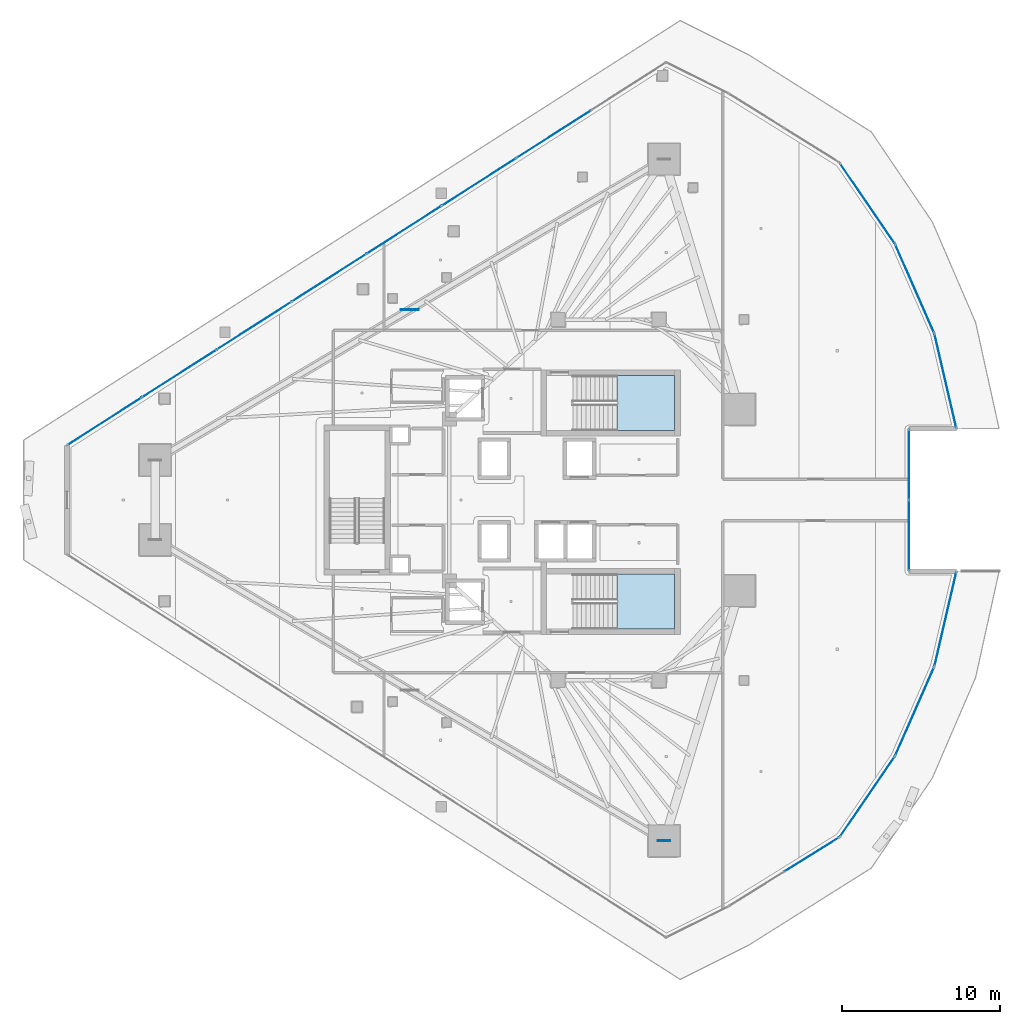
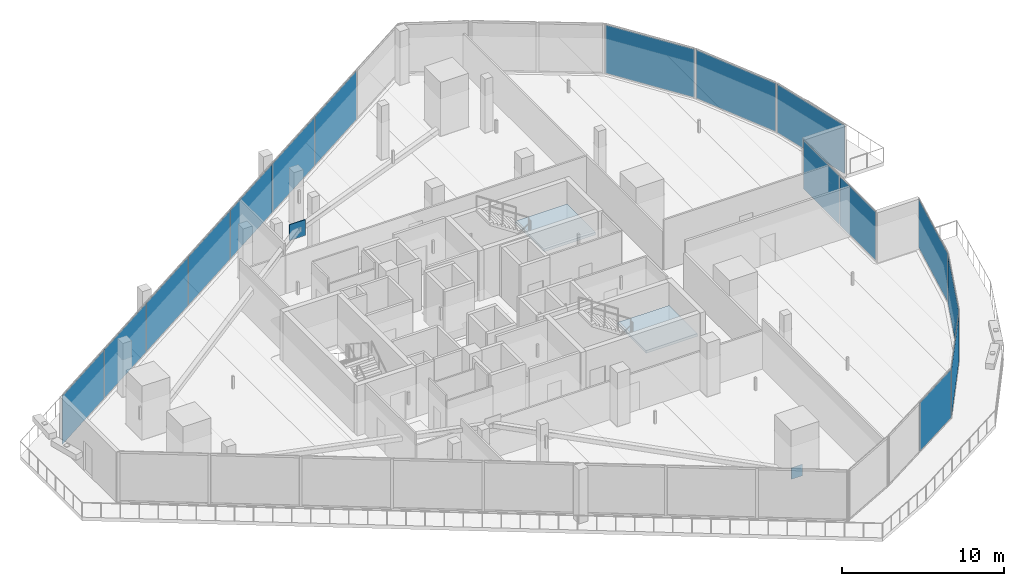
# One storey, part 26 of 39: 18 plates, 2 slabs, 11 elements without a shape of their own.
"""IFC4 building model written with IfcOpenShell, lengths in metres."""

from ifc_helpers import new_model, si_unit, direction, frame, origin, origin_2d, place, context, subcontext, project, spatial, polyline, rectangle, outline, extrude, material, layer, layer_set, type_object, element, aggregate, save


model = new_model("IFC4")

# Units and contexts
model_context = context("Model", 3, precision=1e-05, world=origin(), true_north=direction((0.0, 1.0)))
body_context = subcontext(model_context, "Body", "Model", "MODEL_VIEW")
ifc_project = project(units=[si_unit("LENGTHUNIT", "METRE"), si_unit("AREAUNIT", "SQUARE_METRE"), si_unit("VOLUMEUNIT", "CUBIC_METRE"), si_unit("PLANEANGLEUNIT", "RADIAN"), si_unit("MASSUNIT", "GRAM", prefix="KILO")], contexts=[model_context])

# Site, building, storey
site_placement = place(None, origin())
site = spatial("IfcSite", under=ifc_project, at=site_placement, CompositionType="ELEMENT")
building_placement = place(site_placement, origin())
building = spatial("IfcBuilding", under=site, at=building_placement, Name="Qorvath Tower", CompositionType="ELEMENT")
storey_placement = place(building_placement, frame((0.0, 0.0, 201.0)))
storey = spatial("IfcBuildingStorey", under=building, at=storey_placement, Name="L46", CompositionType="ELEMENT", Elevation=201.0)

# Curtain wall, plate
ifc_material_1 = material(Name="Anodised aluminium and triple low-E glass", Category="aluminium")
ifc_layer_1 = layer(ifc_material_1, 0.179931640625)
ifc_layer_set_1 = layer_set([ifc_layer_1], Name="CW-SYS-3")
curtain_wall_type = type_object("IfcCurtainWallType", Name="CW-SYS-3", PredefinedType="NOTDEFINED", material=ifc_layer_set_1)
curtain_wall_1_placement = place(storey_placement, origin())
curtain_wall_1 = element("IfcCurtainWall", 1, at=curtain_wall_1_placement, inside=storey, type_object=curtain_wall_type, Name="Curtain Wall CW-3 CW-T-L46-4.1", PredefinedType="NOTDEFINED")
ifc_material_2 = material(Name="Low-E triple insulated glass", Category="glass")
ifc_layer_2 = layer(ifc_material_2, 0.031982421875)
ifc_layer_set_2 = layer_set([ifc_layer_2], Name="CWP-GLZ-32")
plate_type_1 = type_object("IfcPlateType", Name="CWP-GLZ-32", PredefinedType="CURTAIN_PANEL", material=ifc_layer_set_2)
plate_1_placement = place(storey_placement, frame((-7.506103515625, -22.500732421875, 0.06494140625), z_axis=(0.0, 0.0, 1.0), x_axis=(0.848493264618, 0.529206179006, 0.0)))
plate_1 = element("IfcPlate", 2, at=plate_1_placement, type_object=plate_type_1, Name="CW-3 panel 2.1", PredefinedType="CURTAIN_PANEL", context=body_context, shape_type="SweptSolid", body=[
    extrude(rectangle(XDim=4.0537109375, YDim=0.031982421875, at=origin_2d()), origin(), (0.0, 0.0, 1.0), 3.64990234375),
])
aggregate(curtain_wall_1, [plate_1])

curtain_wall_2_placement = place(storey_placement, origin())
curtain_wall_2 = element("IfcCurtainWall", 3, at=curtain_wall_2_placement, inside=storey, type_object=curtain_wall_type, Name="Curtain Wall CW-3 CW-T-L46-5.1", PredefinedType="NOTDEFINED")
plate_2_placement = place(storey_placement, frame((-3.97705078125, -18.828857421875, 0.06494140625), z_axis=(0.0, 0.0, 1.0), x_axis=(0.56451201528, 0.825424850974, 0.0)))
plate_2 = element("IfcPlate", 4, at=plate_2_placement, type_object=plate_type_1, Name="CW-3 panel 1.1", PredefinedType="CURTAIN_PANEL", context=body_context, shape_type="SweptSolid", body=[
    extrude(rectangle(XDim=6.085205078125, YDim=0.031982421875, at=origin_2d()), origin(), (0.0, 0.0, 1.0), 3.64990234375),
])
aggregate(curtain_wall_2, [plate_2])

curtain_wall_3_placement = place(storey_placement, origin())
curtain_wall_3 = element("IfcCurtainWall", 5, at=curtain_wall_3_placement, inside=storey, type_object=curtain_wall_type, Name="Curtain Wall CW-3 CW-T-L46-6.1", PredefinedType="NOTDEFINED")
plate_3_placement = place(storey_placement, frame((-0.972412109375, -13.418701171875, 0.06494140625), z_axis=(0.0, 0.0, 1.0), x_axis=(0.402320695364, 0.915498802884, 0.0)))
plate_3 = element("IfcPlate", 6, at=plate_3_placement, type_object=plate_type_1, Name="CW-3 panel 1.1", PredefinedType="CURTAIN_PANEL", context=body_context, shape_type="SweptSolid", body=[
    extrude(rectangle(XDim=6.085205078125, YDim=0.031982421875, at=origin_2d()), origin(), (0.0, 0.0, 1.0), 3.64990234375),
])
aggregate(curtain_wall_3, [plate_3])

curtain_wall_4_placement = place(storey_placement, origin())
curtain_wall_4 = element("IfcCurtainWall", 7, at=curtain_wall_4_placement, inside=storey, type_object=curtain_wall_type, Name="Curtain Wall CW-3 CW-T-L46-7.1", PredefinedType="NOTDEFINED")
plate_4_placement = place(storey_placement, frame((0.98095703125, -7.546630859375, 0.06494140625), z_axis=(0.0, 0.0, 1.0), x_axis=(0.226271743469, 0.974064216624, 0.0)))
plate_4 = element("IfcPlate", 8, at=plate_4_placement, type_object=plate_type_1, Name="CW-3 panel 1.1", PredefinedType="CURTAIN_PANEL", context=body_context, shape_type="SweptSolid", body=[
    extrude(rectangle(XDim=6.085205078125, YDim=0.031982421875, at=origin_2d()), origin(), (0.0, 0.0, 1.0), 3.64990234375),
])
aggregate(curtain_wall_4, [plate_4])

# Curtain wall, plates
curtain_wall_5_placement = place(storey_placement, origin())
curtain_wall_5 = element("IfcCurtainWall", 9, at=curtain_wall_5_placement, inside=storey, type_object=curtain_wall_type, Name="Curtain Wall CW-3 CW-T-L46-9.1", PredefinedType="NOTDEFINED")
plate_5_placement = place(storey_placement, frame((-1.3291015625, -2.24365234375, 0.06494140625), z_axis=(0.0, 0.0, 1.0), x_axis=(0.0, 1.0, 0.0)))
plate_5 = element("IfcPlate", 10, at=plate_5_placement, type_object=plate_type_1, Name="CW-3 panel 1.1", PredefinedType="CURTAIN_PANEL", context=body_context, shape_type="SweptSolid", body=[
    extrude(rectangle(XDim=4.42236328125, YDim=0.031982421875, at=origin_2d()), origin(), (0.0, 0.0, 1.0), 3.64990234375),
])
plate_6_placement = place(storey_placement, frame((-1.3291015625, 2.24365234375, 0.06494140625), z_axis=(0.0, 0.0, 1.0), x_axis=(0.0, 1.0, 0.0)))
plate_6 = element("IfcPlate", 11, at=plate_6_placement, type_object=plate_type_1, Name="CW-3 panel 2.1", PredefinedType="CURTAIN_PANEL", context=body_context, shape_type="SweptSolid", body=[
    extrude(rectangle(XDim=4.42236328125, YDim=0.031982421875, at=origin_2d()), origin(), (0.0, 0.0, 1.0), 3.64990234375),
])
aggregate(curtain_wall_5, [plate_5, plate_6])

# Curtain wall, plate
curtain_wall_6_placement = place(storey_placement, origin())
curtain_wall_6 = element("IfcCurtainWall", 12, at=curtain_wall_6_placement, inside=storey, type_object=curtain_wall_type, Name="Curtain Wall CW-3 CW-T-L46-11.1", PredefinedType="NOTDEFINED")
plate_7_placement = place(storey_placement, frame((0.98095703125, 7.546630859375, 0.06494140625), z_axis=(0.0, 0.0, 1.0), x_axis=(-0.226271743469, 0.974064216624, 0.0)))
plate_7 = element("IfcPlate", 13, at=plate_7_placement, type_object=plate_type_1, Name="CW-3 panel 1.1", PredefinedType="CURTAIN_PANEL", context=body_context, shape_type="SweptSolid", body=[
    extrude(rectangle(XDim=6.085205078125, YDim=0.031982421875, at=origin_2d()), origin(), (0.0, 0.0, 1.0), 3.64990234375),
])
aggregate(curtain_wall_6, [plate_7])

curtain_wall_7_placement = place(storey_placement, origin())
curtain_wall_7 = element("IfcCurtainWall", 14, at=curtain_wall_7_placement, inside=storey, type_object=curtain_wall_type, Name="Curtain Wall CW-3 CW-T-L46-12.1", PredefinedType="NOTDEFINED")
plate_8_placement = place(storey_placement, frame((-0.972412109375, 13.418701171875, 0.06494140625), z_axis=(0.0, 0.0, 1.0), x_axis=(-0.402320695364, 0.915498802884, 0.0)))
plate_8 = element("IfcPlate", 15, at=plate_8_placement, type_object=plate_type_1, Name="CW-3 panel 1.1", PredefinedType="CURTAIN_PANEL", context=body_context, shape_type="SweptSolid", body=[
    extrude(rectangle(XDim=6.085205078125, YDim=0.031982421875, at=origin_2d()), origin(), (0.0, 0.0, 1.0), 3.64990234375),
])
aggregate(curtain_wall_7, [plate_8])

curtain_wall_8_placement = place(storey_placement, origin())
curtain_wall_8 = element("IfcCurtainWall", 16, at=curtain_wall_8_placement, inside=storey, type_object=curtain_wall_type, Name="Curtain Wall CW-3 CW-T-L46-13.1", PredefinedType="NOTDEFINED")
plate_9_placement = place(storey_placement, frame((-3.97705078125, 18.828857421875, 0.06494140625), z_axis=(0.0, 0.0, 1.0), x_axis=(-0.56451201528, 0.825424850974, 0.0)))
plate_9 = element("IfcPlate", 17, at=plate_9_placement, type_object=plate_type_1, Name="CW-3 panel 1.1", PredefinedType="CURTAIN_PANEL", context=body_context, shape_type="SweptSolid", body=[
    extrude(rectangle(XDim=6.085205078125, YDim=0.031982421875, at=origin_2d()), origin(), (0.0, 0.0, 1.0), 3.64990234375),
])
aggregate(curtain_wall_8, [plate_9])

# Curtain wall, plates
curtain_wall_9_placement = place(storey_placement, origin())
curtain_wall_9 = element("IfcCurtainWall", 18, at=curtain_wall_9_placement, inside=storey, type_object=curtain_wall_type, Name="Curtain Wall CW-3 CW-T-L46-16.1", PredefinedType="NOTDEFINED")
plate_10_placement = place(storey_placement, frame((-23.87158203125, 23.21484375, 0.06494140625), z_axis=(0.0, 0.0, 1.0), x_axis=(-0.842604020948, -0.538533623725, 0.0)))
plate_10 = element("IfcPlate", 19, at=plate_10_placement, type_object=plate_type_1, Name="CW-3 panel 2.1", PredefinedType="CURTAIN_PANEL", context=body_context, shape_type="SweptSolid", body=[
    extrude(rectangle(XDim=5.5751953125, YDim=0.031982421875, at=origin_2d()), origin(), (0.0, 0.0, 1.0), 3.64990234375),
])
plate_11_placement = place(storey_placement, frame((-28.6240234375, 20.177490234375, 0.06494140625), z_axis=(0.0, 0.0, 1.0), x_axis=(-0.842604020948, -0.538533623725, 0.0)))
plate_11 = element("IfcPlate", 20, at=plate_11_placement, type_object=plate_type_1, Name="CW-3 panel 3.1", PredefinedType="CURTAIN_PANEL", context=body_context, shape_type="SweptSolid", body=[
    extrude(rectangle(XDim=5.5751953125, YDim=0.031982421875, at=origin_2d()), origin(), (0.0, 0.0, 1.0), 3.64990234375),
])
plate_12_placement = place(storey_placement, frame((-33.37646484375, 17.139892578125, 0.06494140625), z_axis=(0.0, 0.0, 1.0), x_axis=(-0.842604020948, -0.538533623725, 0.0)))
plate_12 = element("IfcPlate", 21, at=plate_12_placement, type_object=plate_type_1, Name="CW-3 panel 4.1", PredefinedType="CURTAIN_PANEL", context=body_context, shape_type="SweptSolid", body=[
    extrude(rectangle(XDim=5.5751953125, YDim=0.031982421875, at=origin_2d()), origin(), (0.0, 0.0, 1.0), 3.64990234375),
])
plate_13_placement = place(storey_placement, frame((-38.129150390625, 14.1025390625, 0.06494140625), z_axis=(0.0, 0.0, 1.0), x_axis=(-0.842604020948, -0.538533623725, 0.0)))
plate_13 = element("IfcPlate", 22, at=plate_13_placement, type_object=plate_type_1, Name="CW-3 panel 5.1", PredefinedType="CURTAIN_PANEL", context=body_context, shape_type="SweptSolid", body=[
    extrude(rectangle(XDim=5.5751953125, YDim=0.031982421875, at=origin_2d()), origin(), (0.0, 0.0, 1.0), 3.64990234375),
])
plate_14_placement = place(storey_placement, frame((-42.881591796875, 11.06494140625, 0.06494140625), z_axis=(0.0, 0.0, 1.0), x_axis=(-0.842604020948, -0.538533623725, 0.0)))
plate_14 = element("IfcPlate", 23, at=plate_14_placement, type_object=plate_type_1, Name="CW-3 panel 6.1", PredefinedType="CURTAIN_PANEL", context=body_context, shape_type="SweptSolid", body=[
    extrude(rectangle(XDim=5.5751953125, YDim=0.031982421875, at=origin_2d()), origin(), (0.0, 0.0, 1.0), 3.64990234375),
])
plate_15_placement = place(storey_placement, frame((-47.634033203125, 8.027587890625, 0.06494140625), z_axis=(0.0, 0.0, 1.0), x_axis=(-0.842604020948, -0.538533623725, 0.0)))
plate_15 = element("IfcPlate", 24, at=plate_15_placement, type_object=plate_type_1, Name="CW-3 panel 7.1", PredefinedType="CURTAIN_PANEL", context=body_context, shape_type="SweptSolid", body=[
    extrude(rectangle(XDim=5.5751953125, YDim=0.031982421875, at=origin_2d()), origin(), (0.0, 0.0, 1.0), 3.64990234375),
])
plate_16_placement = place(storey_placement, frame((-52.372802734375, 4.998779296875, 0.06494140625), z_axis=(0.0, 0.0, 1.0), x_axis=(-0.842604020948, -0.538533623725, 0.0)))
plate_16 = element("IfcPlate", 25, at=plate_16_placement, type_object=plate_type_1, Name="CW-3 panel 8.1", PredefinedType="CURTAIN_PANEL", context=body_context, shape_type="SweptSolid", body=[
    extrude(rectangle(XDim=5.542724609375, YDim=0.031982421875, at=origin_2d()), origin(), (0.0, 0.0, 1.0), 3.64990234375),
])
aggregate(curtain_wall_9, [plate_10, plate_11, plate_12, plate_13, plate_14, plate_15, plate_16])

# Plates
ifc_material_3 = material(Name="Steel ASTM A572 Grade 50", Category="steel")
ifc_layer_3 = layer(ifc_material_3, 0.054931640625)
ifc_layer_set_3 = layer_set([ifc_layer_3], Name="PL-MBN1")
plate_type_2 = type_object("IfcPlateType", Name="PL-MBN1", PredefinedType="USERDEFINED", material=ifc_layer_set_3)
plate_17_placement = place(storey_placement, frame((-33.021728515625, 12.077392578125, 2.830078125), z_axis=(0.0, 0.0, 1.0), x_axis=(1.0, 0.0, 0.0)))
element("IfcPlate", 26, at=plate_17_placement, inside=storey, type_object=plate_type_2, Name="Mega-Brace Chevron Apex Gusset L46-1", ObjectType="GUSSET", PredefinedType="USERDEFINED", context=body_context, shape_type="SweptSolid", body=[
    extrude(rectangle(XDim=1.14990234375, YDim=0.054931640625, at=origin_2d()), origin(), (0.0, 0.0, 1.0), 1.199951171875),
])
plate_18_placement = place(storey_placement, frame((-16.87158203125, -21.627197265625, -0.425048828125), z_axis=(0.0, 0.0, 1.0), x_axis=(1.0, 0.0, 0.0)))
element("IfcPlate", 27, at=plate_18_placement, inside=storey, type_object=plate_type_2, Name="Brace Strut End Gusset Plate NDBG-104", ObjectType="GUSSET", PredefinedType="USERDEFINED", context=body_context, shape_type="SweptSolid", body=[
    extrude(rectangle(XDim=0.800048828125, YDim=0.054931640625, at=origin_2d()), origin(), (0.0, 0.0, 1.0), 0.85009765625),
])

# Stair, slab
ifc_material_4 = material(Name="Concrete C50/60", Category="concrete")
stair_type = type_object("IfcStairType", Name="ST-H405", PredefinedType="HALF_TURN_STAIR", material=ifc_material_4)
stair_1_placement = place(storey_placement, origin())
stair_1 = element("IfcStair", 28, at=stair_1_placement, inside=storey, type_object=stair_type, Name="L46 Tower Exit Stair 1", PredefinedType="HALF_TURN_STAIR")
ifc_material_5 = material(Name="Concrete C50/60", Category="concrete")
ifc_layer_4 = layer(ifc_material_5, 0.199951171875)
ifc_layer_set_4 = layer_set([ifc_layer_4], Name="SL-LND-200")
slab_type = type_object("IfcSlabType", Name="SL-LND-200", PredefinedType="LANDING", material=ifc_layer_set_4)
slab_1_placement = place(storey_placement, frame((0.0, 0.0, 1.824951171875)))
slab_1 = element("IfcSlab", 29, at=slab_1_placement, type_object=slab_type, Name="TS1 landing 1", PredefinedType="LANDING", context=body_context, shape_type="SweptSolid", body=[
    extrude(outline(polyline([(-19.8701171875, 4.39990234375), (-16.199951171875, 4.39990234375), (-16.199951171875, 7.909912109375), (-19.8701171875, 7.909912109375), (-19.8701171875, 4.39990234375)])), origin(), (0.0, 0.0, 1.0), 0.199951171875),
])
aggregate(stair_1, [slab_1])

stair_2_placement = place(storey_placement, origin())
stair_2 = element("IfcStair", 30, at=stair_2_placement, inside=storey, type_object=stair_type, Name="L46 Tower Exit Stair 2", PredefinedType="HALF_TURN_STAIR")
slab_2_placement = place(storey_placement, frame((0.0, 0.0, 1.824951171875)))
slab_2 = element("IfcSlab", 31, at=slab_2_placement, type_object=slab_type, Name="TS2 landing 1", PredefinedType="LANDING", context=body_context, shape_type="SweptSolid", body=[
    extrude(outline(polyline([(-19.8701171875, -8.199951171875), (-16.199951171875, -8.199951171875), (-16.199951171875, -4.68994140625), (-19.8701171875, -4.68994140625), (-19.8701171875, -8.199951171875)])), origin(), (0.0, 0.0, 1.0), 0.199951171875),
])
aggregate(stair_2, [slab_2])

save(model, "model.ifc")
